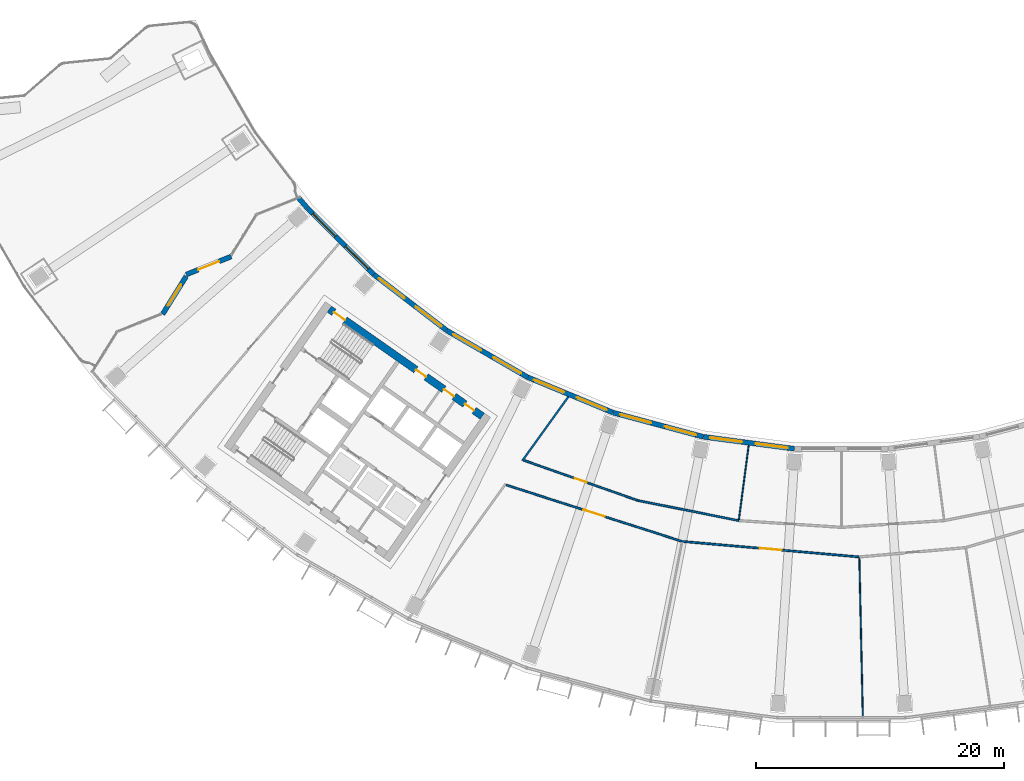
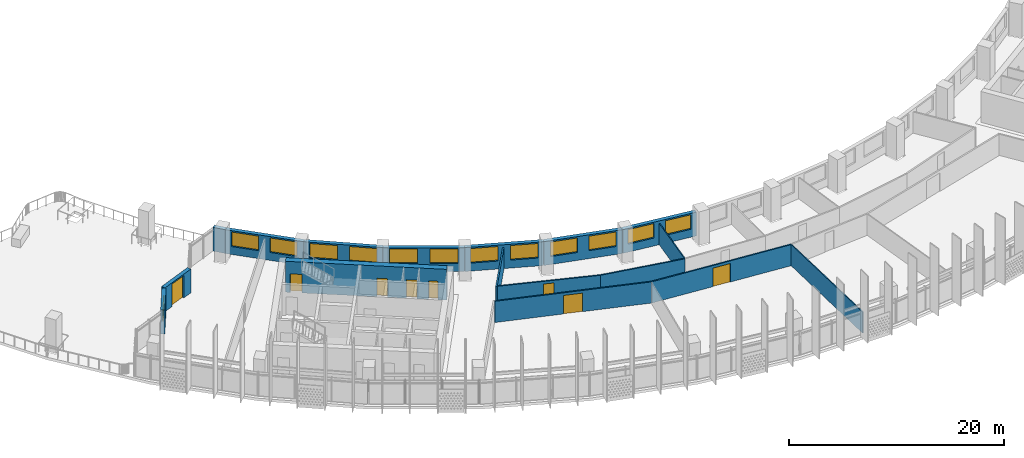
# One storey, part 4 of 31: 17 walls, 13 windows, 8 doors, 21 openings.
"""IFC4 building model written with IfcOpenShell, lengths in metres."""

from ifc_helpers import new_model, si_unit, direction, frame, frame_2d, origin, place, context, subcontext, project, spatial, rectangle, extrude, material, layer, layer_set, type_object, element, fill, save


model = new_model("IFC4")

# Units and contexts
model_context = context("Model", 3, precision=1e-05, world=origin(), true_north=direction((0.0, 1.0)))
body_context = subcontext(model_context, "Body", "Model", "MODEL_VIEW")
ifc_project = project(units=[si_unit("LENGTHUNIT", "METRE"), si_unit("AREAUNIT", "SQUARE_METRE"), si_unit("VOLUMEUNIT", "CUBIC_METRE"), si_unit("PLANEANGLEUNIT", "RADIAN"), si_unit("MASSUNIT", "GRAM", prefix="KILO")], contexts=[model_context])

# Site, building, storey
site_placement = place(None, origin())
site = spatial("IfcSite", under=ifc_project, at=site_placement, CompositionType="ELEMENT")
building_placement = place(site_placement, origin())
building = spatial("IfcBuilding", under=site, at=building_placement, Name="Qamariyya Broadcast Tower", CompositionType="ELEMENT")
storey_placement = place(building_placement, frame((0.0, 0.0, 149.300048828125)))
storey = spatial("IfcBuildingStorey", under=building, at=storey_placement, Name="L34", CompositionType="ELEMENT", Elevation=149.300048828125)

# Wall, openings, doors
ifc_material_1 = material(Name="Concrete C60/75", Category="concrete")
ifc_layer_1 = layer(ifc_material_1, 0.60009765625)
ifc_layer_set_1 = layer_set([ifc_layer_1], Name="Core wall 600 mm Concrete C60/75")
wall_type_1 = type_object("IfcWallType", Name="Core wall 600 mm Concrete C60/75", PredefinedType="SHEAR", material=ifc_layer_set_1)
wall_1_placement = place(storey_placement, frame((-28.940673828125, -54.447021484375, 0.0), z_axis=(0.0, 0.0, 1.0), x_axis=(-0.819153391756, 0.573574511963, 0.0)))
wall_1 = element("IfcWall", 1, at=wall_1_placement, inside=storey, type_object=wall_type_1, Name="k-W-L34-WI", PredefinedType="SHEAR", context=body_context, shape_type="SweptSolid", body=[
    extrude(rectangle(XDim=15.04541015625, YDim=0.60009765625, at=frame_2d((7.522705078125, 0.0))), origin(), (0.0, 0.0, 1.0), 3.5),
])
opening_1_placement = place(wall_1_placement, frame((0.800048828125, 0.0, 0.0)))
opening_1 = element("IfcOpeningElement", 2, at=opening_1_placement, cuts=wall_1, Name="Opening KD5-W1", PredefinedType="OPENING", context=body_context, shape_type="SweptSolid", body=[
    extrude(rectangle(XDim=0.89990234375, YDim=2.10009765625, at=frame_2d((0.449951171875, 1.050048828125))), frame((0.0, 0.31005859375, 0.0), z_axis=(0.0, -1.0, 0.0), x_axis=(1.0, 0.0, 0.0)), (0.0, 0.0, 1.0), 0.6201171875),
])
opening_2_placement = place(wall_1_placement, frame((2.77490234375, 0.0, 0.0)))
opening_2 = element("IfcOpeningElement", 3, at=opening_2_placement, cuts=wall_1, Name="Opening KD7-W1", PredefinedType="OPENING", context=body_context, shape_type="SweptSolid", body=[
    extrude(rectangle(XDim=1.0, YDim=2.10009765625, at=frame_2d((0.5, 1.050048828125))), frame((0.0, 0.31005859375, 0.0), z_axis=(0.0, -1.0, 0.0), x_axis=(1.0, 0.0, 0.0)), (0.0, 0.0, 1.0), 0.6201171875),
])
opening_3_placement = place(wall_1_placement, frame((5.52490234375, 0.0, 0.0)))
opening_3 = element("IfcOpeningElement", 4, at=opening_3_placement, cuts=wall_1, Name="Opening KD6-W1", PredefinedType="OPENING", context=body_context, shape_type="SweptSolid", body=[
    extrude(rectangle(XDim=1.0, YDim=2.10009765625, at=frame_2d((0.5, 1.050048828125))), frame((0.0, 0.31005859375, 0.0), z_axis=(0.0, -1.0, 0.0), x_axis=(1.0, 0.0, 0.0)), (0.0, 0.0, 1.0), 0.6201171875),
])
opening_4_placement = place(wall_1_placement, frame((13.495361328125, 0.0, 0.0)))
opening_4 = element("IfcOpeningElement", 5, at=opening_4_placement, cuts=wall_1, Name="Opening KD1-W1", PredefinedType="OPENING", context=body_context, shape_type="SweptSolid", body=[
    extrude(rectangle(XDim=1.10009765625, YDim=2.10009765625, at=frame_2d((0.550048828125, 1.050048828125))), frame((0.0, 0.31005859375, 0.0), z_axis=(0.0, -1.0, 0.0), x_axis=(1.0, 0.0, 0.0)), (0.0, 0.0, 1.0), 0.6201171875),
])
ifc_material_2 = material(Name="Steel fire-resisting door leaf", Category="steel")
door_type_1 = type_object("IfcDoorType", Name="Accessible toilet door KD7", OperationType="SINGLE_SWING_LEFT", PredefinedType="DOOR", material=ifc_material_2)
door_1_placement = place(opening_2_placement, origin())
door_1 = element("IfcDoor", 6, at=door_1_placement, inside=storey, type_object=door_type_1, Name="k-W-L34-WI-D7", OperationType="SINGLE_SWING_RIGHT", OverallHeight=2.10009765625, OverallWidth=1.0, PredefinedType="DOOR", context=body_context, shape_type="SweptSolid", body=[
    extrude(rectangle(XDim=1.0, YDim=2.10009765625, at=frame_2d((0.5, 1.050048828125))), frame((0.0, 0.02490234375, 0.0), z_axis=(0.0, -1.0, 0.0), x_axis=(1.0, 0.0, 0.0)), (0.0, 0.0, 1.0), 0.050048828125),
])
fill(opening_2, door_1)
door_type_2 = type_object("IfcDoorType", Name="Core room door KD6", OperationType="SINGLE_SWING_LEFT", PredefinedType="DOOR", material=ifc_material_2)
door_2_placement = place(opening_3_placement, origin())
door_2 = element("IfcDoor", 7, at=door_2_placement, inside=storey, type_object=door_type_2, Name="k-W-L34-WI-D8", OperationType="SINGLE_SWING_LEFT", OverallHeight=2.10009765625, OverallWidth=1.0, PredefinedType="DOOR", context=body_context, shape_type="SweptSolid", body=[
    extrude(rectangle(XDim=1.0, YDim=2.10009765625, at=frame_2d((0.5, 1.050048828125))), frame((0.0, 0.02490234375, 0.0), z_axis=(0.0, -1.0, 0.0), x_axis=(1.0, 0.0, 0.0)), (0.0, 0.0, 1.0), 0.050048828125),
])
fill(opening_3, door_2)
door_type_3 = type_object("IfcDoorType", Name="Stair door KD1", OperationType="SINGLE_SWING_LEFT", PredefinedType="DOOR", material=ifc_material_2)
door_3_placement = place(opening_4_placement, origin())
door_3 = element("IfcDoor", 8, at=door_3_placement, inside=storey, type_object=door_type_3, Name="k-W-L34-WI-D15", OperationType="SINGLE_SWING_RIGHT", OverallHeight=2.10009765625, OverallWidth=1.10009765625, PredefinedType="DOOR", context=body_context, shape_type="SweptSolid", body=[
    extrude(rectangle(XDim=1.10009765625, YDim=2.10009765625, at=frame_2d((0.550048828125, 1.050048828125))), frame((0.0, 0.02490234375, 0.0), z_axis=(0.0, -1.0, 0.0), x_axis=(1.0, 0.0, 0.0)), (0.0, 0.0, 1.0), 0.050048828125),
])
fill(opening_4, door_3)
door_type_4 = type_object("IfcDoorType", Name="Toilet door KD5", OperationType="SINGLE_SWING_LEFT", PredefinedType="DOOR", material=ifc_material_2)
door_4_placement = place(opening_1_placement, origin())
door_4 = element("IfcDoor", 9, at=door_4_placement, inside=storey, type_object=door_type_4, Name="k-W-L34-WI-D6", OperationType="SINGLE_SWING_LEFT", OverallHeight=2.10009765625, OverallWidth=0.89990234375, PredefinedType="DOOR", context=body_context, shape_type="SweptSolid", body=[
    extrude(rectangle(XDim=0.89990234375, YDim=2.10009765625, at=frame_2d((0.449951171875, 1.050048828125))), frame((0.0, 0.02490234375, 0.0), z_axis=(0.0, -1.0, 0.0), x_axis=(1.0, 0.0, 0.0)), (0.0, 0.0, 1.0), 0.050048828125),
])
fill(opening_1, door_4)

# Wall, opening, door
ifc_material_3 = material(Name="Gypsum board partition")
ifc_layer_2 = layer(ifc_material_3, 0.14990234375)
ifc_layer_set_2 = layer_set([ifc_layer_2], Name="Corridor partition 150 EI 60")
wall_type_2 = type_object("IfcWallType", Name="Corridor partition 150 EI 60", PredefinedType="PARTITIONING", material=ifc_layer_set_2)
wall_2_placement = place(storey_placement, frame((-12.8369140625, -64.53564453125, 0.0), z_axis=(0.0, 0.0, 1.0), x_axis=(-0.952206327701, 0.305455576945, 0.0)))
wall_2 = element("IfcWall", 10, at=wall_2_placement, inside=storey, type_object=wall_type_2, Name="Partition L34-003", PredefinedType="PARTITIONING", context=body_context, shape_type="SweptSolid", body=[
    extrude(rectangle(XDim=14.90478515625, YDim=0.14990234375, at=frame_2d((7.452392578125, 0.0))), origin(), (0.0, 0.0, 1.0), 2.39990234375),
])
opening_5_placement = place(wall_2_placement, frame((6.55224609375, 0.0, 0.0)))
opening_5 = element("IfcOpeningElement", 11, at=opening_5_placement, cuts=wall_2, Name="Opening L34-D01", PredefinedType="OPENING", context=body_context, shape_type="SweptSolid", body=[
    extrude(rectangle(XDim=1.800048828125, YDim=2.10009765625, at=frame_2d((0.89990234375, 1.050048828125))), frame((0.0, 0.0849609375, 0.0), z_axis=(0.0, -1.0, 0.0), x_axis=(1.0, 0.0, 0.0)), (0.0, 0.0, 1.0), 0.169921875),
])
ifc_material_4 = material(Name="Timber fire door leaf", Category="wood")
door_type_5 = type_object("IfcDoorType", Name="Double fire door 1800 x 2100 FD60", OperationType="NOTDEFINED", PredefinedType="DOOR", material=ifc_material_4)
door_5_placement = place(opening_5_placement, origin())
door_5 = element("IfcDoor", 12, at=door_5_placement, inside=storey, type_object=door_type_5, Name="Door L34-D01", OperationType="DOUBLE_DOOR_SINGLE_SWING", OverallHeight=2.10009765625, OverallWidth=1.800048828125, PredefinedType="DOOR", context=body_context, shape_type="SweptSolid", body=[
    extrude(rectangle(XDim=1.800048828125, YDim=2.10009765625, at=frame_2d((0.89990234375, 1.050048828125))), frame((0.0, 0.02490234375, 0.0), z_axis=(0.0, -1.0, 0.0), x_axis=(1.0, 0.0, 0.0)), (0.0, 0.0, 1.0), 0.050048828125),
])
fill(opening_5, door_5)

wall_3_placement = place(storey_placement, frame((-25.598388671875, -57.99609375, 0.0), z_axis=(0.0, 0.0, 1.0), x_axis=(0.942982926679, -0.332841103219, 0.0)))
wall_3 = element("IfcWall", 13, at=wall_3_placement, inside=storey, type_object=wall_type_2, Name="Partition L34-004", PredefinedType="PARTITIONING", context=body_context, shape_type="SweptSolid", body=[
    extrude(rectangle(XDim=9.736572265625, YDim=0.14990234375, at=frame_2d((4.8681640625, 0.0))), origin(), (0.0, 0.0, 1.0), 2.39990234375),
])
opening_6_placement = place(wall_3_placement, frame((4.368408203125, 0.0, 0.0)))
opening_6 = element("IfcOpeningElement", 14, at=opening_6_placement, cuts=wall_3, Name="Opening L34-D05", PredefinedType="OPENING", context=body_context, shape_type="SweptSolid", body=[
    extrude(rectangle(XDim=1.0, YDim=2.10009765625, at=frame_2d((0.5, 1.050048828125))), frame((0.0, 0.0849609375, 0.0), z_axis=(0.0, -1.0, 0.0), x_axis=(1.0, 0.0, 0.0)), (0.0, 0.0, 1.0), 0.169921875),
])
door_type_6 = type_object("IfcDoorType", Name="Fire door 1000 x 2100 FD60", OperationType="NOTDEFINED", PredefinedType="DOOR", material=ifc_material_4)
door_6_placement = place(opening_6_placement, origin())
door_6 = element("IfcDoor", 15, at=door_6_placement, inside=storey, type_object=door_type_6, Name="Door L34-D05", OperationType="SINGLE_SWING_RIGHT", OverallHeight=2.10009765625, OverallWidth=1.0, PredefinedType="DOOR", context=body_context, shape_type="SweptSolid", body=[
    extrude(rectangle(XDim=1.0, YDim=2.10009765625, at=frame_2d((0.5, 1.050048828125))), frame((0.0, 0.02490234375, 0.0), z_axis=(0.0, -1.0, 0.0), x_axis=(1.0, 0.0, 0.0)), (0.0, 0.0, 1.0), 0.050048828125),
])
fill(opening_6, door_6)

# Walls
wall_4_placement = place(storey_placement, frame((-22.0, -52.873046875, 0.0), z_axis=(0.0, 0.0, 1.0), x_axis=(-0.58417014289, -0.811631224236, 0.0)))
element("IfcWall", 16, at=wall_4_placement, inside=storey, type_object=wall_type_2, Name="Partition L34-005", PredefinedType="PARTITIONING", context=body_context, shape_type="SweptSolid", body=[
    extrude(rectangle(XDim=6.356201171875, YDim=0.14990234375, at=frame_2d((3.17822265625, 0.0))), origin(), (0.0, 0.0, 1.0), 2.39990234375),
])
wall_5_placement = place(storey_placement, frame((-16.40087890625, -61.2412109375, 0.0), z_axis=(0.0, 0.0, 1.0), x_axis=(0.980780777209, -0.195112959735, 0.0)))
element("IfcWall", 17, at=wall_5_placement, inside=storey, type_object=wall_type_2, Name="Partition L34-006", PredefinedType="PARTITIONING", context=body_context, shape_type="SweptSolid", body=[
    extrude(rectangle(XDim=8.28466796875, YDim=0.14990234375, at=frame_2d((4.142333984375, 0.0))), origin(), (0.0, 0.0, 1.0), 2.39990234375),
])

# Wall, opening, door
wall_6_placement = place(storey_placement, frame((1.437255859375, -65.7841796875, 0.0), z_axis=(0.0, 0.0, 1.0), x_axis=(-0.996196472661, 0.087135456945, 0.0)))
wall_6 = element("IfcWall", 18, at=wall_6_placement, inside=storey, type_object=wall_type_2, Name="Partition L34-008", PredefinedType="PARTITIONING", context=body_context, shape_type="SweptSolid", body=[
    extrude(rectangle(XDim=14.32861328125, YDim=0.14990234375, at=frame_2d((7.164306640625, 0.0))), origin(), (0.0, 0.0, 1.0), 2.39990234375),
])
opening_7_placement = place(wall_6_placement, frame((6.264404296875, 0.0, 0.0)))
opening_7 = element("IfcOpeningElement", 19, at=opening_7_placement, cuts=wall_6, Name="Opening L34-D02", PredefinedType="OPENING", context=body_context, shape_type="SweptSolid", body=[
    extrude(rectangle(XDim=1.800048828125, YDim=2.10009765625, at=frame_2d((0.89990234375, 1.050048828125))), frame((0.0, 0.0849609375, 0.0), z_axis=(0.0, -1.0, 0.0), x_axis=(1.0, 0.0, 0.0)), (0.0, 0.0, 1.0), 0.169921875),
])
door_7_placement = place(opening_7_placement, origin())
door_7 = element("IfcDoor", 20, at=door_7_placement, inside=storey, type_object=door_type_5, Name="Door L34-D02", OperationType="DOUBLE_DOOR_SINGLE_SWING", OverallHeight=2.10009765625, OverallWidth=1.800048828125, PredefinedType="DOOR", context=body_context, shape_type="SweptSolid", body=[
    extrude(rectangle(XDim=1.800048828125, YDim=2.10009765625, at=frame_2d((0.89990234375, 1.050048828125))), frame((0.0, 0.02490234375, 0.0), z_axis=(0.0, -1.0, 0.0), x_axis=(1.0, 0.0, 0.0)), (0.0, 0.0, 1.0), 0.050048828125),
])
fill(opening_7, door_7)

# Walls
ifc_layer_3 = layer(ifc_material_3, 0.10009765625)
ifc_layer_set_3 = layer_set([ifc_layer_3], Name="Partition 100")
wall_type_3 = type_object("IfcWallType", Name="Partition 100", PredefinedType="PARTITIONING", material=ifc_layer_set_3)
wall_7_placement = place(storey_placement, frame((-7.476318359375, -56.787841796875, 0.0), z_axis=(0.0, 0.0, 1.0), x_axis=(-0.130526573864, -0.991444811129, 0.0)))
element("IfcWall", 21, at=wall_7_placement, inside=storey, type_object=wall_type_3, Name="Partition L34-010", PredefinedType="PARTITIONING", context=body_context, shape_type="SweptSolid", body=[
    extrude(rectangle(XDim=6.047119140625, YDim=0.10009765625, at=frame_2d((3.0234375, 0.0))), origin(), (0.0, 0.0, 1.0), 2.39990234375),
])
wall_8_placement = place(storey_placement, frame((1.718017578125, -78.630859375, 0.0), z_axis=(0.0, 0.0, 1.0), x_axis=(-0.021844457465, 0.99976138137, 0.0)))
element("IfcWall", 22, at=wall_8_placement, inside=storey, type_object=wall_type_3, Name="Partition L34-014", PredefinedType="PARTITIONING", context=body_context, shape_type="SweptSolid", body=[
    extrude(rectangle(XDim=12.7744140625, YDim=0.10009765625, at=frame_2d((6.38720703125, 0.0))), origin(), (0.0, 0.0, 1.0), 2.39990234375),
])

# Wall, opening, door
ifc_material_5 = material(Name="Terracotta", Category="masonry")
ifc_layer_4 = layer(ifc_material_5, 0.39990234375)
ifc_layer_set_4 = layer_set([ifc_layer_4], Name="Terracotta clad wall 400")
wall_type_4 = type_object("IfcWallType", Name="Terracotta clad wall 400", PredefinedType="SOLIDWALL", material=ifc_layer_set_4)
wall_9_placement = place(storey_placement, frame((-49.171630859375, -41.581298828125, 0.0), z_axis=(0.0, 0.0, 1.0), x_axis=(-0.927962374725, -0.372673893766, 0.0)))
wall_9 = element("IfcWall", 23, at=wall_9_placement, inside=storey, type_object=wall_type_4, Name="e-wl-L34-capW2", PredefinedType="SOLIDWALL", context=body_context, shape_type="SweptSolid", body=[
    extrude(rectangle(XDim=3.90234375, YDim=0.39990234375, at=frame_2d((1.951171875, 0.0))), origin(), (0.0, 0.0, 1.0), 2.699951171875),
])
opening_8_placement = place(wall_9_placement, frame((1.05126953125, 0.0, 0.0)))
opening_8 = element("IfcOpeningElement", 24, at=opening_8_placement, cuts=wall_9, Name="Opening ED5", PredefinedType="OPENING", context=body_context, shape_type="SweptSolid", body=[
    extrude(rectangle(XDim=1.800048828125, YDim=2.550048828125, at=frame_2d((0.89990234375, 1.27490234375))), frame((0.0, 0.2099609375, 0.0), z_axis=(0.0, -1.0, 0.0), x_axis=(1.0, 0.0, 0.0)), (0.0, 0.0, 1.0), 0.419921875),
])
ifc_material_6 = material(Name="Toughened glass in stainless steel frame", Category="steel")
door_type_7 = type_object("IfcDoorType", Name="Terrace door 1800 x 2550", OperationType="DOUBLE_DOOR_DOUBLE_SWING", PredefinedType="DOOR", material=ifc_material_6)
door_8_placement = place(opening_8_placement, origin())
door_8 = element("IfcDoor", 25, at=door_8_placement, inside=storey, type_object=door_type_7, Name="e-ed-L34-terraceW", OperationType="DOUBLE_DOOR_DOUBLE_SWING", OverallHeight=2.550048828125, OverallWidth=1.800048828125, PredefinedType="DOOR", context=body_context, shape_type="SweptSolid", body=[
    extrude(rectangle(XDim=1.800048828125, YDim=2.550048828125, at=frame_2d((0.89990234375, 1.27490234375))), frame((0.0, 0.02490234375, 0.0), z_axis=(0.0, -1.0, 0.0), x_axis=(1.0, 0.0, 0.0)), (0.0, 0.0, 1.0), 0.050048828125),
])
fill(opening_8, door_8)

# Wall, opening, window
wall_10_placement = place(storey_placement, frame((-52.794921875, -43.173095703125, 0.0), z_axis=(0.0, 0.0, 1.0), x_axis=(-0.528089308506, -0.849188837799, 0.0)))
wall_10 = element("IfcWall", 26, at=wall_10_placement, inside=storey, type_object=wall_type_4, Name="e-wl-L34-capW3", PredefinedType="SOLIDWALL", context=body_context, shape_type="SweptSolid", body=[
    extrude(rectangle(XDim=3.587890625, YDim=0.39990234375, at=frame_2d((1.7939453125, 0.0))), origin(), (0.0, 0.0, 1.0), 2.699951171875),
])
opening_9_placement = place(wall_10_placement, frame((0.7939453125, 0.0, 0.89990234375)))
opening_9 = element("IfcOpeningElement", 27, at=opening_9_placement, cuts=wall_10, Name="Opening W4", PredefinedType="OPENING", context=body_context, shape_type="SweptSolid", body=[
    extrude(rectangle(XDim=2.0, YDim=1.5, at=frame_2d((1.0, 0.75))), frame((0.0, 0.2099609375, 0.0), z_axis=(0.0, -1.0, 0.0), x_axis=(1.0, 0.0, 0.0)), (0.0, 0.0, 1.0), 0.419921875),
])
ifc_material_7 = material(Name="Clear low-e double glazed unit in aluminium frame", Category="aluminium")
window_type_1 = type_object("IfcWindowType", Name="Horn bay window 2000 x 1500", PartitioningType="SINGLE_PANEL", PredefinedType="WINDOW", material=ifc_material_7)
window_1_placement = place(opening_9_placement, origin())
window_1 = element("IfcWindow", 28, at=window_1_placement, inside=storey, type_object=window_type_1, Name="e-w-L34-capW3", OverallHeight=1.5, OverallWidth=2.0, PartitioningType="SINGLE_PANEL", PredefinedType="WINDOW", context=body_context, shape_type="SweptSolid", body=[
    extrude(rectangle(XDim=2.0, YDim=1.5, at=frame_2d((1.0, 0.75))), frame((0.0, 0.030029296875, 0.0), z_axis=(0.0, -1.0, 0.0), x_axis=(1.0, 0.0, 0.0)), (0.0, 0.0, 1.0), 0.06005859375),
])
fill(opening_9, window_1)

# Wall
wall_11_placement = place(storey_placement, frame((-43.021240234375, -37.696044921875, 0.0), z_axis=(0.0, 0.0, 1.0), x_axis=(-0.65139198301, 0.75874138181, 0.0)))
element("IfcWall", 29, at=wall_11_placement, inside=storey, type_object=wall_type_4, Name="e-wl-L34-in00", PredefinedType="SOLIDWALL", context=body_context, shape_type="SweptSolid", body=[
    extrude(rectangle(XDim=1.171142578125, YDim=0.39990234375, at=frame_2d((0.58544921875, 0.0))), origin(), (0.0, 0.0, 1.0), 2.699951171875),
])

# Wall, openings, windows
wall_12_placement = place(storey_placement, frame((-37.697265625, -43.023193359375, 0.0), z_axis=(0.0, 0.0, 1.0), x_axis=(-0.707106781187, 0.707106781187, 0.0)))
wall_12 = element("IfcWall", 30, at=wall_12_placement, inside=storey, type_object=wall_type_4, Name="e-wl-L34-in10", PredefinedType="SOLIDWALL", context=body_context, shape_type="SweptSolid", body=[
    extrude(rectangle(XDim=7.516357421875, YDim=0.39990234375, at=frame_2d((3.75830078125, 0.0))), origin(), (0.0, 0.0, 1.0), 2.699951171875),
])
opening_10_placement = place(wall_12_placement, frame((4.330078125, 0.0, 0.89990234375)))
opening_10 = element("IfcOpeningElement", 31, at=opening_10_placement, cuts=wall_12, Name="Opening W1", PredefinedType="OPENING", context=body_context, shape_type="SweptSolid", body=[
    extrude(rectangle(XDim=2.60009765625, YDim=1.64990234375, at=frame_2d((1.300048828125, 0.824951171875))), frame((0.0, 0.2099609375, 0.0), z_axis=(0.0, -1.0, 0.0), x_axis=(1.0, 0.0, 0.0)), (0.0, 0.0, 1.0), 0.419921875),
])
opening_11_placement = place(wall_12_placement, frame((0.60205078125, 0.0, 0.89990234375)))
opening_11 = element("IfcOpeningElement", 32, at=opening_11_placement, cuts=wall_12, Name="Opening W1", PredefinedType="OPENING", context=body_context, shape_type="SweptSolid", body=[
    extrude(rectangle(XDim=2.60009765625, YDim=1.64990234375, at=frame_2d((1.300048828125, 0.824951171875))), frame((0.0, 0.2099609375, 0.0), z_axis=(0.0, -1.0, 0.0), x_axis=(1.0, 0.0, 0.0)), (0.0, 0.0, 1.0), 0.419921875),
])
window_type_2 = type_object("IfcWindowType", Name="Ribbon window 2600 x 1650", PartitioningType="SINGLE_PANEL", PredefinedType="WINDOW", material=ifc_material_7)
window_2_placement = place(opening_10_placement, origin())
window_2 = element("IfcWindow", 33, at=window_2_placement, inside=storey, type_object=window_type_2, Name="e-w-L34-in01-0", OverallHeight=1.64990234375, OverallWidth=2.60009765625, PartitioningType="SINGLE_PANEL", PredefinedType="WINDOW", context=body_context, shape_type="SweptSolid", body=[
    extrude(rectangle(XDim=2.60009765625, YDim=1.64990234375, at=frame_2d((1.300048828125, 0.824951171875))), frame((0.0, 0.030029296875, 0.0), z_axis=(0.0, -1.0, 0.0), x_axis=(1.0, 0.0, 0.0)), (0.0, 0.0, 1.0), 0.06005859375),
])
fill(opening_10, window_2)
window_3_placement = place(opening_11_placement, origin())
window_3 = element("IfcWindow", 34, at=window_3_placement, inside=storey, type_object=window_type_2, Name="e-w-L34-in01-1", OverallHeight=1.64990234375, OverallWidth=2.60009765625, PartitioningType="SINGLE_PANEL", PredefinedType="WINDOW", context=body_context, shape_type="SweptSolid", body=[
    extrude(rectangle(XDim=2.60009765625, YDim=1.64990234375, at=frame_2d((1.300048828125, 0.824951171875))), frame((0.0, 0.030029296875, 0.0), z_axis=(0.0, -1.0, 0.0), x_axis=(1.0, 0.0, 0.0)), (0.0, 0.0, 1.0), 0.06005859375),
])
fill(opening_11, window_3)

wall_13_placement = place(storey_placement, frame((-31.819091796875, -47.529541015625, 0.0), z_axis=(0.0, 0.0, 1.0), x_axis=(-0.79334647843, 0.608770371457, 0.0)))
wall_13 = element("IfcWall", 35, at=wall_13_placement, inside=storey, type_object=wall_type_4, Name="e-wl-L34-in20", PredefinedType="SOLIDWALL", context=body_context, shape_type="SweptSolid", body=[
    extrude(rectangle(XDim=7.380615234375, YDim=0.39990234375, at=frame_2d((3.6904296875, 0.0))), origin(), (0.0, 0.0, 1.0), 2.699951171875),
])
opening_12_placement = place(wall_13_placement, frame((4.25439453125, 0.0, 0.89990234375)))
opening_12 = element("IfcOpeningElement", 36, at=opening_12_placement, cuts=wall_13, Name="Opening W1", PredefinedType="OPENING", context=body_context, shape_type="SweptSolid", body=[
    extrude(rectangle(XDim=2.60009765625, YDim=1.64990234375, at=frame_2d((1.300048828125, 0.824951171875))), frame((0.0, 0.2099609375, 0.0), z_axis=(0.0, -1.0, 0.0), x_axis=(1.0, 0.0, 0.0)), (0.0, 0.0, 1.0), 0.419921875),
])
opening_13_placement = place(wall_13_placement, frame((0.5263671875, 0.0, 0.89990234375)))
opening_13 = element("IfcOpeningElement", 37, at=opening_13_placement, cuts=wall_13, Name="Opening W1", PredefinedType="OPENING", context=body_context, shape_type="SweptSolid", body=[
    extrude(rectangle(XDim=2.60009765625, YDim=1.64990234375, at=frame_2d((1.300048828125, 0.824951171875))), frame((0.0, 0.2099609375, 0.0), z_axis=(0.0, -1.0, 0.0), x_axis=(1.0, 0.0, 0.0)), (0.0, 0.0, 1.0), 0.419921875),
])
window_4_placement = place(opening_12_placement, origin())
window_4 = element("IfcWindow", 38, at=window_4_placement, inside=storey, type_object=window_type_2, Name="e-w-L34-in02-0", OverallHeight=1.64990234375, OverallWidth=2.60009765625, PartitioningType="SINGLE_PANEL", PredefinedType="WINDOW", context=body_context, shape_type="SweptSolid", body=[
    extrude(rectangle(XDim=2.60009765625, YDim=1.64990234375, at=frame_2d((1.300048828125, 0.824951171875))), frame((0.0, 0.030029296875, 0.0), z_axis=(0.0, -1.0, 0.0), x_axis=(1.0, 0.0, 0.0)), (0.0, 0.0, 1.0), 0.06005859375),
])
fill(opening_12, window_4)
window_5_placement = place(opening_13_placement, origin())
window_5 = element("IfcWindow", 39, at=window_5_placement, inside=storey, type_object=window_type_2, Name="e-w-L34-in02-1", OverallHeight=1.64990234375, OverallWidth=2.60009765625, PartitioningType="SINGLE_PANEL", PredefinedType="WINDOW", context=body_context, shape_type="SweptSolid", body=[
    extrude(rectangle(XDim=2.60009765625, YDim=1.64990234375, at=frame_2d((1.300048828125, 0.824951171875))), frame((0.0, 0.030029296875, 0.0), z_axis=(0.0, -1.0, 0.0), x_axis=(1.0, 0.0, 0.0)), (0.0, 0.0, 1.0), 0.06005859375),
])
fill(opening_13, window_5)

wall_14_placement = place(storey_placement, frame((-25.27734375, -51.31396484375, 0.0), z_axis=(0.0, 0.0, 1.0), x_axis=(-0.866028517328, 0.499994607145, 0.0)))
wall_14 = element("IfcWall", 40, at=wall_14_placement, inside=storey, type_object=wall_type_4, Name="e-wl-L34-in30", PredefinedType="SOLIDWALL", context=body_context, shape_type="SweptSolid", body=[
    extrude(rectangle(XDim=7.5322265625, YDim=0.39990234375, at=frame_2d((3.76611328125, 0.0))), origin(), (0.0, 0.0, 1.0), 2.699951171875),
])
opening_14_placement = place(wall_14_placement, frame((4.330078125, 0.0, 0.89990234375)))
opening_14 = element("IfcOpeningElement", 41, at=opening_14_placement, cuts=wall_14, Name="Opening W1", PredefinedType="OPENING", context=body_context, shape_type="SweptSolid", body=[
    extrude(rectangle(XDim=2.60009765625, YDim=1.64990234375, at=frame_2d((1.300048828125, 0.824951171875))), frame((0.0, 0.2099609375, 0.0), z_axis=(0.0, -1.0, 0.0), x_axis=(1.0, 0.0, 0.0)), (0.0, 0.0, 1.0), 0.419921875),
])
opening_15_placement = place(wall_14_placement, frame((0.60205078125, 0.0, 0.89990234375)))
opening_15 = element("IfcOpeningElement", 42, at=opening_15_placement, cuts=wall_14, Name="Opening W1", PredefinedType="OPENING", context=body_context, shape_type="SweptSolid", body=[
    extrude(rectangle(XDim=2.60009765625, YDim=1.64990234375, at=frame_2d((1.300048828125, 0.824951171875))), frame((0.0, 0.2099609375, 0.0), z_axis=(0.0, -1.0, 0.0), x_axis=(1.0, 0.0, 0.0)), (0.0, 0.0, 1.0), 0.419921875),
])
window_6_placement = place(opening_14_placement, origin())
window_6 = element("IfcWindow", 43, at=window_6_placement, inside=storey, type_object=window_type_2, Name="e-w-L34-in03-0", OverallHeight=1.64990234375, OverallWidth=2.60009765625, PartitioningType="SINGLE_PANEL", PredefinedType="WINDOW", context=body_context, shape_type="SweptSolid", body=[
    extrude(rectangle(XDim=2.60009765625, YDim=1.64990234375, at=frame_2d((1.300048828125, 0.824951171875))), frame((0.0, 0.030029296875, 0.0), z_axis=(0.0, -1.0, 0.0), x_axis=(1.0, 0.0, 0.0)), (0.0, 0.0, 1.0), 0.06005859375),
])
fill(opening_14, window_6)
window_7_placement = place(opening_15_placement, origin())
window_7 = element("IfcWindow", 44, at=window_7_placement, inside=storey, type_object=window_type_2, Name="e-w-L34-in03-1", OverallHeight=1.64990234375, OverallWidth=2.60009765625, PartitioningType="SINGLE_PANEL", PredefinedType="WINDOW", context=body_context, shape_type="SweptSolid", body=[
    extrude(rectangle(XDim=2.60009765625, YDim=1.64990234375, at=frame_2d((1.300048828125, 0.824951171875))), frame((0.0, 0.030029296875, 0.0), z_axis=(0.0, -1.0, 0.0), x_axis=(1.0, 0.0, 0.0)), (0.0, 0.0, 1.0), 0.06005859375),
])
fill(opening_15, window_7)

wall_15_placement = place(storey_placement, frame((-18.433349609375, -54.1455078125, 0.0), z_axis=(0.0, 0.0, 1.0), x_axis=(-0.923867659443, 0.382712095229, 0.0)))
wall_15 = element("IfcWall", 45, at=wall_15_placement, inside=storey, type_object=wall_type_4, Name="e-wl-L34-in40", PredefinedType="SOLIDWALL", context=body_context, shape_type="SweptSolid", body=[
    extrude(rectangle(XDim=7.380859375, YDim=0.39990234375, at=frame_2d((3.6904296875, 0.0))), origin(), (0.0, 0.0, 1.0), 2.699951171875),
])
opening_16_placement = place(wall_15_placement, frame((4.25439453125, 0.0, 0.89990234375)))
opening_16 = element("IfcOpeningElement", 46, at=opening_16_placement, cuts=wall_15, Name="Opening W1", PredefinedType="OPENING", context=body_context, shape_type="SweptSolid", body=[
    extrude(rectangle(XDim=2.60009765625, YDim=1.64990234375, at=frame_2d((1.300048828125, 0.824951171875))), frame((0.0, 0.2099609375, 0.0), z_axis=(0.0, -1.0, 0.0), x_axis=(1.0, 0.0, 0.0)), (0.0, 0.0, 1.0), 0.419921875),
])
opening_17_placement = place(wall_15_placement, frame((0.5263671875, 0.0, 0.89990234375)))
opening_17 = element("IfcOpeningElement", 47, at=opening_17_placement, cuts=wall_15, Name="Opening W1", PredefinedType="OPENING", context=body_context, shape_type="SweptSolid", body=[
    extrude(rectangle(XDim=2.60009765625, YDim=1.64990234375, at=frame_2d((1.300048828125, 0.824951171875))), frame((0.0, 0.2099609375, 0.0), z_axis=(0.0, -1.0, 0.0), x_axis=(1.0, 0.0, 0.0)), (0.0, 0.0, 1.0), 0.419921875),
])
window_8_placement = place(opening_16_placement, origin())
window_8 = element("IfcWindow", 48, at=window_8_placement, inside=storey, type_object=window_type_2, Name="e-w-L34-in04-0", OverallHeight=1.64990234375, OverallWidth=2.60009765625, PartitioningType="SINGLE_PANEL", PredefinedType="WINDOW", context=body_context, shape_type="SweptSolid", body=[
    extrude(rectangle(XDim=2.60009765625, YDim=1.64990234375, at=frame_2d((1.300048828125, 0.824951171875))), frame((0.0, 0.030029296875, 0.0), z_axis=(0.0, -1.0, 0.0), x_axis=(1.0, 0.0, 0.0)), (0.0, 0.0, 1.0), 0.06005859375),
])
fill(opening_16, window_8)
window_9_placement = place(opening_17_placement, origin())
window_9 = element("IfcWindow", 49, at=window_9_placement, inside=storey, type_object=window_type_2, Name="e-w-L34-in04-1", OverallHeight=1.64990234375, OverallWidth=2.60009765625, PartitioningType="SINGLE_PANEL", PredefinedType="WINDOW", context=body_context, shape_type="SweptSolid", body=[
    extrude(rectangle(XDim=2.60009765625, YDim=1.64990234375, at=frame_2d((1.300048828125, 0.824951171875))), frame((0.0, 0.030029296875, 0.0), z_axis=(0.0, -1.0, 0.0), x_axis=(1.0, 0.0, 0.0)), (0.0, 0.0, 1.0), 0.06005859375),
])
fill(opening_17, window_9)

wall_16_placement = place(storey_placement, frame((-11.135009765625, -56.10791015625, 0.0), z_axis=(0.0, 0.0, 1.0), x_axis=(-0.965927073219, 0.258814391452, 0.0)))
wall_16 = element("IfcWall", 50, at=wall_16_placement, inside=storey, type_object=wall_type_4, Name="e-wl-L34-in50", PredefinedType="SOLIDWALL", context=body_context, shape_type="SweptSolid", body=[
    extrude(rectangle(XDim=7.5322265625, YDim=0.39990234375, at=frame_2d((3.76611328125, 0.0))), origin(), (0.0, 0.0, 1.0), 2.699951171875),
])
opening_18_placement = place(wall_16_placement, frame((4.330078125, 0.0, 0.89990234375)))
opening_18 = element("IfcOpeningElement", 51, at=opening_18_placement, cuts=wall_16, Name="Opening W1", PredefinedType="OPENING", context=body_context, shape_type="SweptSolid", body=[
    extrude(rectangle(XDim=2.60009765625, YDim=1.64990234375, at=frame_2d((1.300048828125, 0.824951171875))), frame((0.0, 0.2099609375, 0.0), z_axis=(0.0, -1.0, 0.0), x_axis=(1.0, 0.0, 0.0)), (0.0, 0.0, 1.0), 0.419921875),
])
opening_19_placement = place(wall_16_placement, frame((0.60205078125, 0.0, 0.89990234375)))
opening_19 = element("IfcOpeningElement", 52, at=opening_19_placement, cuts=wall_16, Name="Opening W1", PredefinedType="OPENING", context=body_context, shape_type="SweptSolid", body=[
    extrude(rectangle(XDim=2.60009765625, YDim=1.64990234375, at=frame_2d((1.300048828125, 0.824951171875))), frame((0.0, 0.2099609375, 0.0), z_axis=(0.0, -1.0, 0.0), x_axis=(1.0, 0.0, 0.0)), (0.0, 0.0, 1.0), 0.419921875),
])
window_10_placement = place(opening_18_placement, origin())
window_10 = element("IfcWindow", 53, at=window_10_placement, inside=storey, type_object=window_type_2, Name="e-w-L34-in05-0", OverallHeight=1.64990234375, OverallWidth=2.60009765625, PartitioningType="SINGLE_PANEL", PredefinedType="WINDOW", context=body_context, shape_type="SweptSolid", body=[
    extrude(rectangle(XDim=2.60009765625, YDim=1.64990234375, at=frame_2d((1.300048828125, 0.824951171875))), frame((0.0, 0.030029296875, 0.0), z_axis=(0.0, -1.0, 0.0), x_axis=(1.0, 0.0, 0.0)), (0.0, 0.0, 1.0), 0.06005859375),
])
fill(opening_18, window_10)
window_11_placement = place(opening_19_placement, origin())
window_11 = element("IfcWindow", 54, at=window_11_placement, inside=storey, type_object=window_type_2, Name="e-w-L34-in05-1", OverallHeight=1.64990234375, OverallWidth=2.60009765625, PartitioningType="SINGLE_PANEL", PredefinedType="WINDOW", context=body_context, shape_type="SweptSolid", body=[
    extrude(rectangle(XDim=2.60009765625, YDim=1.64990234375, at=frame_2d((1.300048828125, 0.824951171875))), frame((0.0, 0.030029296875, 0.0), z_axis=(0.0, -1.0, 0.0), x_axis=(1.0, 0.0, 0.0)), (0.0, 0.0, 1.0), 0.06005859375),
])
fill(opening_19, window_11)

wall_17_placement = place(storey_placement, frame((-3.79150390625, -57.0712890625, 0.0), z_axis=(0.0, 0.0, 1.0), x_axis=(-0.99144438474, 0.130529812564, 0.0)))
wall_17 = element("IfcWall", 55, at=wall_17_placement, inside=storey, type_object=wall_type_4, Name="e-wl-L34-in60", PredefinedType="SOLIDWALL", context=body_context, shape_type="SweptSolid", body=[
    extrude(rectangle(XDim=7.380615234375, YDim=0.39990234375, at=frame_2d((3.6904296875, 0.0))), origin(), (0.0, 0.0, 1.0), 2.699951171875),
])
opening_20_placement = place(wall_17_placement, frame((4.25439453125, 0.0, 0.89990234375)))
opening_20 = element("IfcOpeningElement", 56, at=opening_20_placement, cuts=wall_17, Name="Opening W1", PredefinedType="OPENING", context=body_context, shape_type="SweptSolid", body=[
    extrude(rectangle(XDim=2.60009765625, YDim=1.64990234375, at=frame_2d((1.300048828125, 0.824951171875))), frame((0.0, 0.2099609375, 0.0), z_axis=(0.0, -1.0, 0.0), x_axis=(1.0, 0.0, 0.0)), (0.0, 0.0, 1.0), 0.419921875),
])
opening_21_placement = place(wall_17_placement, frame((0.5263671875, 0.0, 0.89990234375)))
opening_21 = element("IfcOpeningElement", 57, at=opening_21_placement, cuts=wall_17, Name="Opening W1", PredefinedType="OPENING", context=body_context, shape_type="SweptSolid", body=[
    extrude(rectangle(XDim=2.60009765625, YDim=1.64990234375, at=frame_2d((1.300048828125, 0.824951171875))), frame((0.0, 0.2099609375, 0.0), z_axis=(0.0, -1.0, 0.0), x_axis=(1.0, 0.0, 0.0)), (0.0, 0.0, 1.0), 0.419921875),
])
window_12_placement = place(opening_20_placement, origin())
window_12 = element("IfcWindow", 58, at=window_12_placement, inside=storey, type_object=window_type_2, Name="e-w-L34-in06-0", OverallHeight=1.64990234375, OverallWidth=2.60009765625, PartitioningType="SINGLE_PANEL", PredefinedType="WINDOW", context=body_context, shape_type="SweptSolid", body=[
    extrude(rectangle(XDim=2.60009765625, YDim=1.64990234375, at=frame_2d((1.300048828125, 0.824951171875))), frame((0.0, 0.030029296875, 0.0), z_axis=(0.0, -1.0, 0.0), x_axis=(1.0, 0.0, 0.0)), (0.0, 0.0, 1.0), 0.06005859375),
])
fill(opening_20, window_12)
window_13_placement = place(opening_21_placement, origin())
window_13 = element("IfcWindow", 59, at=window_13_placement, inside=storey, type_object=window_type_2, Name="e-w-L34-in06-1", OverallHeight=1.64990234375, OverallWidth=2.60009765625, PartitioningType="SINGLE_PANEL", PredefinedType="WINDOW", context=body_context, shape_type="SweptSolid", body=[
    extrude(rectangle(XDim=2.60009765625, YDim=1.64990234375, at=frame_2d((1.300048828125, 0.824951171875))), frame((0.0, 0.030029296875, 0.0), z_axis=(0.0, -1.0, 0.0), x_axis=(1.0, 0.0, 0.0)), (0.0, 0.0, 1.0), 0.06005859375),
])
fill(opening_21, window_13)

save(model, "model.ifc")
